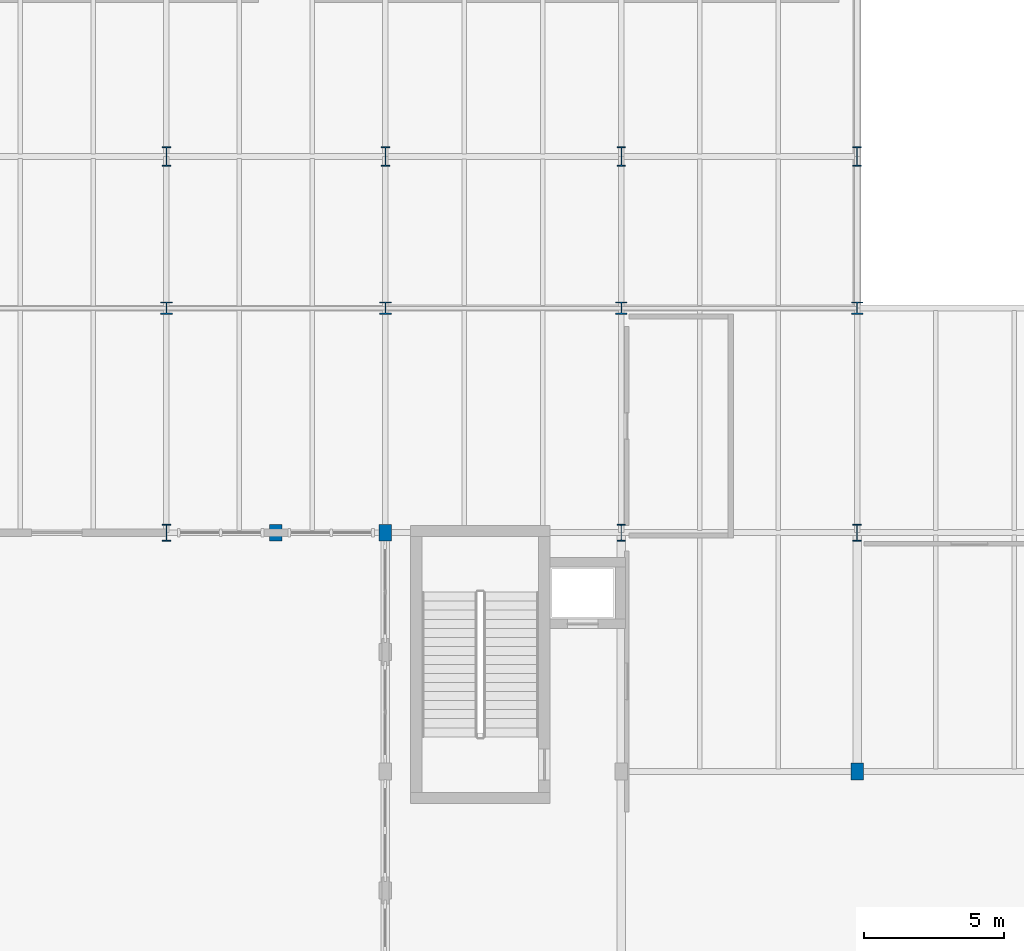
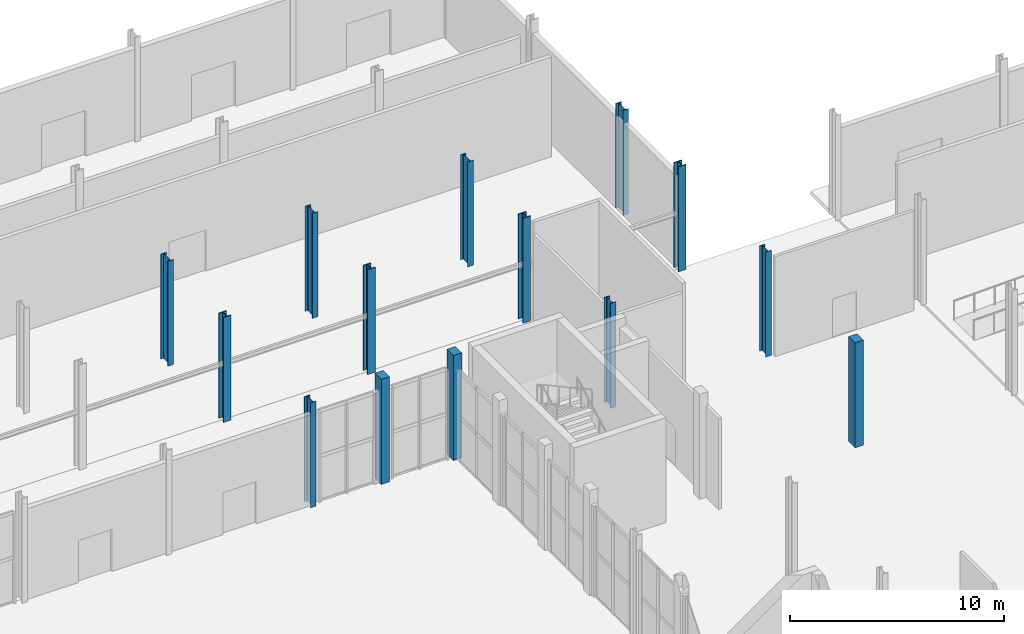
# One storey, part 12 of 84: 14 columns.
"""IFC4 building model written with IfcOpenShell, lengths in metres."""

from ifc_helpers import new_model, si_unit, direction, frame, origin, origin_2d, place, context, subcontext, project, spatial, rectangle, i_section, extrude, material, material_profile, profile_set, type_object, element, save


model = new_model("IFC4")

# Units and contexts
model_context = context("Model", 3, precision=1e-05, world=origin(), true_north=direction((0.0, 1.0)))
body_context = subcontext(model_context, "Body", "Model", "MODEL_VIEW")
ifc_project = project(units=[si_unit("LENGTHUNIT", "METRE"), si_unit("AREAUNIT", "SQUARE_METRE"), si_unit("VOLUMEUNIT", "CUBIC_METRE"), si_unit("PLANEANGLEUNIT", "RADIAN"), si_unit("MASSUNIT", "GRAM", prefix="KILO")], contexts=[model_context])

# Site, building, storey
site_placement = place(None, origin())
site = spatial("IfcSite", under=ifc_project, at=site_placement, CompositionType="ELEMENT")
building_placement = place(site_placement, origin())
building = spatial("IfcBuilding", under=site, at=building_placement, Name="Sefraquen Railside Congress Hotel", CompositionType="ELEMENT")
storey_placement = place(building_placement, origin())
storey = spatial("IfcBuildingStorey", under=building, at=storey_placement, Name="L00", CompositionType="ELEMENT", Elevation=0.0)

# Columns
ifc_material_1 = material(Name="Steel S355J2", Category="steel")
ifc_material_profile_1 = material_profile(ifc_material_1, i_section(OverallWidth=0.416015625, OverallDepth=0.446044921875, WebThickness=0.035888671875, FlangeThickness=0.048095703125, FilletRadius=0.014892578125, at=origin_2d()), Name="HD 400x509")
ifc_profile_set_1 = profile_set([ifc_material_profile_1], Name="Steel S355J2")
column_type_1 = type_object("IfcColumnType", Name="TC-HD-509", PredefinedType="COLUMN", material=ifc_profile_set_1)
for number, where, z_axis, x_axis, name in (
    (1, (95.39990234375, 96.0, 0.0), (0.0, 0.0, 1.0), (1.0, 0.0, 0.0), "Structural column 13-M L00"),
    (2, (103.199951171875, 96.0, 0.0), (0.0, 0.0, 1.0), (1.0, 0.0, 0.0), "Structural column 14-M L00"),
    (3, (111.60009765625, 96.0, 0.0), (0.0, 0.0, 1.0), (1.0, 0.0, 0.0), "Structural column 15-M L00"),
    (4, (120.0, 96.0, 0.0), (0.0, 0.0, 1.0), (1.0, 0.0, 0.0), "Structural column 16-M L00"),
):
    element("IfcColumn", number, at=place(storey_placement, frame(where, z_axis=z_axis, x_axis=x_axis)), inside=storey, type_object=column_type_1, Name=name, PredefinedType="COLUMN", context=body_context, shape_type="SweptSolid", body=[
        extrude(i_section(OverallWidth=0.416015625, OverallDepth=0.446044921875, WebThickness=0.035888671875, FlangeThickness=0.048095703125, FilletRadius=0.014892578125, at=origin_2d()), origin(), (0.0, 0.0, 1.0), 6.0),
    ])
ifc_material_2 = material(Name="Steel S355JR", Category="steel")
ifc_material_profile_2 = material_profile(ifc_material_2, i_section(OverallWidth=0.300048828125, OverallDepth=0.60009765625, WebThickness=0.015380859375, FlangeThickness=0.030029296875, FilletRadius=0.027099609375, at=origin_2d()), Name="HEB 600")
ifc_profile_set_2 = profile_set([ifc_material_profile_2], Name="Steel S355JR")
column_type_2 = type_object("IfcColumnType", Name="TC-HEB-600", PredefinedType="COLUMN", material=ifc_profile_set_2)
for number, where, z_axis, x_axis, name in (
    (5, (95.39990234375, 88.0, 0.0), (0.0, 0.0, 1.0), (1.0, 0.0, 0.0), "Structural column 13-L L00"),
    (6, (111.60009765625, 88.0, 0.0), (0.0, 0.0, 1.0), (1.0, 0.0, 0.0), "Structural column 15-L L00"),
    (7, (120.0, 88.0, 0.0), (0.0, 0.0, 1.0), (1.0, 0.0, 0.0), "Structural column 16-L L00"),
):
    element("IfcColumn", number, at=place(storey_placement, frame(where, z_axis=z_axis, x_axis=x_axis)), inside=storey, type_object=column_type_2, Name=name, PredefinedType="COLUMN", context=body_context, shape_type="SweptSolid", body=[
        extrude(i_section(OverallWidth=0.300048828125, OverallDepth=0.60009765625, WebThickness=0.015380859375, FlangeThickness=0.030029296875, FilletRadius=0.027099609375, at=origin_2d()), origin(), (0.0, 0.0, 1.0), 6.0),
    ])
ifc_material_profile_3 = material_profile(ifc_material_2, i_section(OverallWidth=0.300048828125, OverallDepth=0.699951171875, WebThickness=0.01708984375, FlangeThickness=0.031982421875, FilletRadius=0.027099609375, at=origin_2d()), Name="HEB 700")
ifc_profile_set_3 = profile_set([ifc_material_profile_3], Name="Steel S355JR")
column_type_3 = type_object("IfcColumnType", Name="TC-HEB-700", PredefinedType="COLUMN", material=ifc_profile_set_3)
for number, where, z_axis, x_axis, name in (
    (8, (95.39990234375, 101.39990234375, 0.0), (0.0, 0.0, 1.0), (1.0, 0.0, 0.0), "Structural column 13-N L00"),
    (9, (103.199951171875, 101.39990234375, 0.0), (0.0, 0.0, 1.0), (1.0, 0.0, 0.0), "Structural column 14-N L00"),
    (10, (111.60009765625, 101.39990234375, 0.0), (0.0, 0.0, 1.0), (1.0, 0.0, 0.0), "Structural column 15-N L00"),
    (11, (120.0, 101.39990234375, 0.0), (0.0, 0.0, 1.0), (1.0, 0.0, 0.0), "Structural column 16-N L00"),
):
    element("IfcColumn", number, at=place(storey_placement, frame(where, z_axis=z_axis, x_axis=x_axis)), inside=storey, type_object=column_type_3, Name=name, PredefinedType="COLUMN", context=body_context, shape_type="SweptSolid", body=[
        extrude(i_section(OverallWidth=0.300048828125, OverallDepth=0.699951171875, WebThickness=0.01708984375, FlangeThickness=0.031982421875, FilletRadius=0.027099609375, at=origin_2d()), origin(), (0.0, 0.0, 1.0), 6.0),
    ])
ifc_material_3 = material(Name="Concrete C50/60", Category="concrete")
ifc_material_profile_4 = material_profile(ifc_material_3, rectangle(XDim=0.449951171875, YDim=0.60009765625, at=origin_2d()), Name="RC 600x450")
ifc_profile_set_4 = profile_set([ifc_material_profile_4], Name="Concrete C50/60")
column_type_4 = type_object("IfcColumnType", Name="TC-PIL-600", PredefinedType="PILASTER", material=ifc_profile_set_4)
for number, where, z_axis, x_axis, name in (
    (12, (103.199951171875, 88.0, 0.0), (0.0, 0.0, 1.0), (1.0, 0.0, 0.0), "Structural column 14-L L00"),
    (13, (120.0, 79.5, 0.0), (0.0, 0.0, 1.0), (1.0, 0.0, 0.0), "Structural column 16-K L00"),
    (14, (99.300048828125, 88.0, 0.0), (0.0, 0.0, 1.0), (1.0, 0.0, 0.0), "Courtyard limestone pilaster CPIL-N3 L00"),
):
    element("IfcColumn", number, at=place(storey_placement, frame(where, z_axis=z_axis, x_axis=x_axis)), inside=storey, type_object=column_type_4, Name=name, PredefinedType="PILASTER", context=body_context, shape_type="SweptSolid", body=[
        extrude(rectangle(XDim=0.449951171875, YDim=0.60009765625, at=origin_2d()), origin(), (0.0, 0.0, 1.0), 6.0),
    ])

save(model, "model.ifc")
